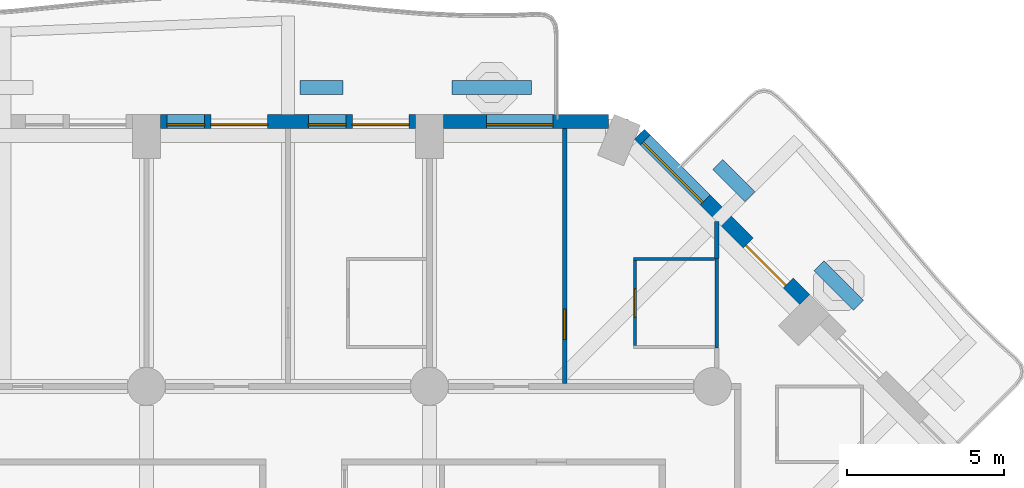
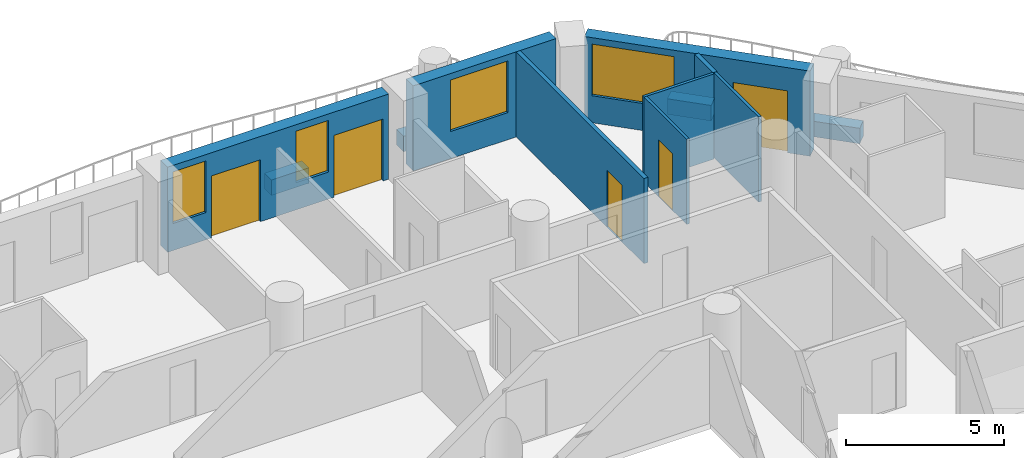
# One storey, part 10 of 20: 12 walls, 5 doors, 4 windows, 9 openings.
"""IFC4 building model written with IfcOpenShell, lengths in metres."""

from ifc_helpers import new_model, si_unit, direction, frame, frame_2d, origin, place, context, subcontext, project, spatial, rectangle, extrude, material, layer, layer_set, type_object, element, fill, save


model = new_model("IFC4")

# Units and contexts
model_context = context("Model", 3, precision=1e-05, world=origin(), true_north=direction((0.0, 1.0)))
body_context = subcontext(model_context, "Body", "Model", "MODEL_VIEW")
ifc_project = project(units=[si_unit("LENGTHUNIT", "METRE"), si_unit("AREAUNIT", "SQUARE_METRE"), si_unit("VOLUMEUNIT", "CUBIC_METRE"), si_unit("PLANEANGLEUNIT", "RADIAN"), si_unit("MASSUNIT", "GRAM", prefix="KILO")], contexts=[model_context])

# Site, building, storey
site_placement = place(None, origin())
site = spatial("IfcSite", under=ifc_project, at=site_placement, CompositionType="ELEMENT")
building_placement = place(site_placement, origin())
building = spatial("IfcBuilding", under=site, at=building_placement, Name="Cypress Arch Tower", CompositionType="ELEMENT")
storey_placement = place(building_placement, frame((0.0, 0.0, 84.300048828125)))
storey = spatial("IfcBuildingStorey", under=building, at=storey_placement, Name="L15", CompositionType="ELEMENT", Elevation=84.300048828125)

# Walls
ifc_material_1 = material(Name="Concrete C40/50, waterproofed", Category="concrete")
ifc_layer_1 = layer(ifc_material_1, 0.449951171875)
ifc_layer_set_1 = layer_set([ifc_layer_1], Name="Balcony planter wall PW450")
wall_type_1 = type_object("IfcWallType", Name="Balcony planter wall PW450", PredefinedType="SOLIDWALL", material=ifc_layer_set_1)
wall_1_placement = place(storey_placement, frame((19.9365234375, 20.07763671875, 0.0), z_axis=(0.0, 0.0, 1.0), x_axis=(-0.707106781187, 0.707106781187, 0.0)))
element("IfcWall", 1, at=wall_1_placement, inside=storey, type_object=wall_type_1, Name="Balcony planter wall L15-A07.2", PredefinedType="SOLIDWALL", context=body_context, shape_type="SweptSolid", body=[
    extrude(rectangle(XDim=1.780517578125, YDim=0.449951171875, at=frame_2d((0.89013671875, 0.0))), origin(), (0.0, 0.0, 1.0), 0.599853515625),
])
wall_2_placement = place(storey_placement, frame((16.485595703125, 23.528564453125, 0.0), z_axis=(0.0, 0.0, 1.0), x_axis=(-0.707022305137, 0.707191247145, 0.0)))
element("IfcWall", 2, at=wall_2_placement, inside=storey, type_object=wall_type_1, Name="Balcony planter wall L15-A07.3", PredefinedType="SOLIDWALL", context=body_context, shape_type="SweptSolid", body=[
    extrude(rectangle(XDim=1.445068359375, YDim=0.449951171875, at=frame_2d((0.72265625, 0.0))), origin(), (0.0, 0.0, 1.0), 0.599853515625),
])
wall_3_placement = place(storey_placement, frame((9.550048828125, 27.0, 0.0), z_axis=(0.0, 0.0, 1.0), x_axis=(-1.0, 0.0, 0.0)))
element("IfcWall", 3, at=wall_3_placement, inside=storey, type_object=wall_type_1, Name="Balcony planter wall L15-A08.1", PredefinedType="SOLIDWALL", context=body_context, shape_type="SweptSolid", body=[
    extrude(rectangle(XDim=2.53759765625, YDim=0.449951171875, at=frame_2d((1.268798828125, 0.0))), origin(), (0.0, 0.0, 1.0), 0.599853515625),
])
wall_4_placement = place(storey_placement, frame((3.550048828125, 27.0, 0.0), z_axis=(0.0, 0.0, 1.0), x_axis=(-1.0, 0.0, 0.0)))
element("IfcWall", 4, at=wall_4_placement, inside=storey, type_object=wall_type_1, Name="Balcony planter wall L15-A08.2", PredefinedType="SOLIDWALL", context=body_context, shape_type="SweptSolid", body=[
    extrude(rectangle(XDim=1.375, YDim=0.449951171875, at=frame_2d((0.6875, 0.0))), origin(), (0.0, 0.0, 1.0), 0.599853515625),
])

# Wall, openings, door, window
ifc_material_2 = material(Name="Brick (red buff blend)", Category="masonry")
ifc_layer_2 = layer(ifc_material_2, 0.449951171875)
ifc_layer_set_2 = layer_set([ifc_layer_2], Name="Brick pier and spandrel wall BW450")
wall_type_2 = type_object("IfcWallType", Name="Brick pier and spandrel wall BW450", PredefinedType="SOLIDWALL", material=ifc_layer_set_2)
wall_5_placement = place(storey_placement, frame((18.228759765625, 20.26513671875, 0.0), z_axis=(0.0, 0.0, 1.0), x_axis=(-0.707106781187, 0.707106781187, 0.0)))
wall_5 = element("IfcWall", 5, at=wall_5_placement, inside=storey, type_object=wall_type_2, Name="Brick wall L15 A07.1", PredefinedType="SOLIDWALL", context=body_context, shape_type="SweptSolid", body=[
    extrude(rectangle(XDim=7.423828125, YDim=0.449951171875, at=frame_2d((3.7119140625, 0.0))), origin(), (0.0, 0.0, 1.0), 3.300048828125),
])
opening_1_placement = place(wall_5_placement, frame((0.740234375, 0.0, 0.0)))
opening_1 = element("IfcOpeningElement", 6, at=opening_1_placement, cuts=wall_5, Name="Opening D-L15-A07.1.1", PredefinedType="OPENING", context=body_context, shape_type="SweptSolid", body=[
    extrude(rectangle(XDim=1.800048828125, YDim=2.39990234375, at=frame_2d((0.89990234375, 1.199951171875))), frame((0.0, 0.23486328125, 0.0), z_axis=(0.0, -1.0, 0.0), x_axis=(1.0, 0.0, 0.0)), (0.0, 0.0, 1.0), 0.469970703125),
])
opening_2_placement = place(wall_5_placement, frame((4.470703125, 0.0, 1.050048828125)))
opening_2 = element("IfcOpeningElement", 7, at=opening_2_placement, cuts=wall_5, Name="Opening W270HD", PredefinedType="OPENING", context=body_context, shape_type="SweptSolid", body=[
    extrude(rectangle(XDim=2.699951171875, YDim=2.0, at=frame_2d((1.35009765625, 1.0))), frame((0.0, 0.23486328125, 0.0), z_axis=(0.0, -1.0, 0.0), x_axis=(1.0, 0.0, 0.0)), (0.0, 0.0, 1.0), 0.469970703125),
])
ifc_material_3 = material(Name="Anodised aluminium, bronze finish, laminated low-emissivity double glazing, large-missile impact rated", Category="aluminium")
door_type_1 = type_object("IfcDoorType", Name="Balcony sliding door 1800x2400", OperationType="SLIDING_TO_LEFT", PredefinedType="DOOR", material=ifc_material_3)
door_1_placement = place(opening_1_placement, origin())
door_1 = element("IfcDoor", 8, at=door_1_placement, inside=storey, type_object=door_type_1, Name="Balcony door L15 A07.1.1", OperationType="SLIDING_TO_LEFT", OverallHeight=2.39990234375, OverallWidth=1.800048828125, PredefinedType="DOOR", context=body_context, shape_type="SweptSolid", body=[
    extrude(rectangle(XDim=1.800048828125, YDim=2.39990234375, at=frame_2d((0.89990234375, 1.199951171875))), frame((0.0, 0.1298828125, 0.0), z_axis=(0.0, -1.0, 0.0), x_axis=(1.0, 0.0, 0.0)), (0.0, 0.0, 1.0), 0.050048828125),
])
fill(opening_1, door_1)
ifc_material_4 = material(Name="Anodised aluminium, bronze finish, laminated low-emissivity double glazing, large-missile impact rated", Category="aluminium")
window_type_1 = type_object("IfcWindowType", Name="Window Hotel 2700x2000 debris-rated", PartitioningType="SINGLE_PANEL", PredefinedType="WINDOW", material=ifc_material_4)
window_1_placement = place(opening_2_placement, origin())
window_1 = element("IfcWindow", 9, at=window_1_placement, inside=storey, type_object=window_type_1, Name="Window L15 A07.1.2", OverallHeight=2.0, OverallWidth=2.699951171875, PartitioningType="SINGLE_PANEL", PredefinedType="WINDOW", context=body_context, shape_type="SweptSolid", body=[
    extrude(rectangle(XDim=2.699951171875, YDim=2.0, at=frame_2d((1.35009765625, 1.0))), frame((0.0, 0.135009765625, 0.0), z_axis=(0.0, -1.0, 0.0), x_axis=(1.0, 0.0, 0.0)), (0.0, 0.0, 1.0), 0.06005859375),
])
fill(opening_2, window_1)

# Wall, opening, window
wall_6_placement = place(storey_placement, frame((11.98876953125, 25.925048828125, 0.0), z_axis=(0.0, 0.0, 1.0), x_axis=(-1.0, 0.0, 0.0)))
wall_6 = element("IfcWall", 10, at=wall_6_placement, inside=storey, type_object=wall_type_2, Name="Brick wall L15 A08.0", PredefinedType="SOLIDWALL", context=body_context, shape_type="SweptSolid", body=[
    extrude(rectangle(XDim=5.23876953125, YDim=0.449951171875, at=frame_2d((2.619384765625, 0.0))), origin(), (0.0, 0.0, 1.0), 3.300048828125),
])
opening_3_placement = place(wall_6_placement, frame((1.769775390625, 0.0, 1.050048828125)))
opening_3 = element("IfcOpeningElement", 11, at=opening_3_placement, cuts=wall_6, Name="Opening W210HD", PredefinedType="OPENING", context=body_context, shape_type="SweptSolid", body=[
    extrude(rectangle(XDim=2.10009765625, YDim=2.0, at=frame_2d((1.050048828125, 1.0))), frame((0.0, 0.23486328125, 0.0), z_axis=(0.0, -1.0, 0.0), x_axis=(1.0, 0.0, 0.0)), (0.0, 0.0, 1.0), 0.469970703125),
])
ifc_material_5 = material(Name="Anodised aluminium, bronze finish, laminated low-emissivity double glazing, large-missile impact rated", Category="aluminium")
window_type_2 = type_object("IfcWindowType", Name="Window Hotel 2100x2000 debris-rated", PartitioningType="SINGLE_PANEL", PredefinedType="WINDOW", material=ifc_material_5)
window_2_placement = place(opening_3_placement, origin())
window_2 = element("IfcWindow", 12, at=window_2_placement, inside=storey, type_object=window_type_2, Name="Window L15 A08.0.1", OverallHeight=2.0, OverallWidth=2.10009765625, PartitioningType="SINGLE_PANEL", PredefinedType="WINDOW", context=body_context, shape_type="SweptSolid", body=[
    extrude(rectangle(XDim=2.10009765625, YDim=2.0, at=frame_2d((1.050048828125, 1.0))), frame((0.0, 0.135009765625, 0.0), z_axis=(0.0, -1.0, 0.0), x_axis=(1.0, 0.0, 0.0)), (0.0, 0.0, 1.0), 0.06005859375),
])
fill(opening_3, window_2)

# Wall, openings, doors, windows
wall_7_placement = place(storey_placement, frame((5.85009765625, 25.925048828125, 0.0), z_axis=(0.0, 0.0, 1.0), x_axis=(-1.0, 0.0, 0.0)))
wall_7 = element("IfcWall", 13, at=wall_7_placement, inside=storey, type_object=wall_type_2, Name="Brick wall L15 A08.1", PredefinedType="SOLIDWALL", context=body_context, shape_type="SweptSolid", body=[
    extrude(rectangle(XDim=8.10009765625, YDim=0.449951171875, at=frame_2d((4.050048828125, 0.0))), origin(), (0.0, 0.0, 1.0), 3.300048828125),
])
opening_4_placement = place(wall_7_placement, frame((0.199951171875, 0.0, 0.0)))
opening_4 = element("IfcOpeningElement", 14, at=opening_4_placement, cuts=wall_7, Name="Opening D-L15-A08.1.1", PredefinedType="OPENING", context=body_context, shape_type="SweptSolid", body=[
    extrude(rectangle(XDim=1.800048828125, YDim=2.39990234375, at=frame_2d((0.89990234375, 1.199951171875))), frame((0.0, 0.23486328125, 0.0), z_axis=(0.0, -1.0, 0.0), x_axis=(1.0, 0.0, 0.0)), (0.0, 0.0, 1.0), 0.469970703125),
])
opening_5_placement = place(wall_7_placement, frame((2.199951171875, 0.0, 1.050048828125)))
opening_5 = element("IfcOpeningElement", 15, at=opening_5_placement, cuts=wall_7, Name="Opening W120HD", PredefinedType="OPENING", context=body_context, shape_type="SweptSolid", body=[
    extrude(rectangle(XDim=1.199951171875, YDim=2.0, at=frame_2d((0.60009765625, 1.0))), frame((0.0, 0.23486328125, 0.0), z_axis=(0.0, -1.0, 0.0), x_axis=(1.0, 0.0, 0.0)), (0.0, 0.0, 1.0), 0.469970703125),
])
opening_6_placement = place(wall_7_placement, frame((4.699951171875, 0.0, 0.0)))
opening_6 = element("IfcOpeningElement", 16, at=opening_6_placement, cuts=wall_7, Name="Opening D-L15-A08.1.2", PredefinedType="OPENING", context=body_context, shape_type="SweptSolid", body=[
    extrude(rectangle(XDim=1.800048828125, YDim=2.39990234375, at=frame_2d((0.89990234375, 1.199951171875))), frame((0.0, 0.23486328125, 0.0), z_axis=(0.0, -1.0, 0.0), x_axis=(1.0, 0.0, 0.0)), (0.0, 0.0, 1.0), 0.469970703125),
])
opening_7_placement = place(wall_7_placement, frame((6.699951171875, 0.0, 1.050048828125)))
opening_7 = element("IfcOpeningElement", 17, at=opening_7_placement, cuts=wall_7, Name="Opening W120HD", PredefinedType="OPENING", context=body_context, shape_type="SweptSolid", body=[
    extrude(rectangle(XDim=1.199951171875, YDim=2.0, at=frame_2d((0.60009765625, 1.0))), frame((0.0, 0.23486328125, 0.0), z_axis=(0.0, -1.0, 0.0), x_axis=(1.0, 0.0, 0.0)), (0.0, 0.0, 1.0), 0.469970703125),
])
door_2_placement = place(opening_4_placement, origin())
door_2 = element("IfcDoor", 18, at=door_2_placement, inside=storey, type_object=door_type_1, Name="Balcony door L15 A08.1.1", OperationType="SLIDING_TO_LEFT", OverallHeight=2.39990234375, OverallWidth=1.800048828125, PredefinedType="DOOR", context=body_context, shape_type="SweptSolid", body=[
    extrude(rectangle(XDim=1.800048828125, YDim=2.39990234375, at=frame_2d((0.89990234375, 1.199951171875))), frame((0.0, 0.1298828125, 0.0), z_axis=(0.0, -1.0, 0.0), x_axis=(1.0, 0.0, 0.0)), (0.0, 0.0, 1.0), 0.050048828125),
])
fill(opening_4, door_2)
door_3_placement = place(opening_6_placement, origin())
door_3 = element("IfcDoor", 19, at=door_3_placement, inside=storey, type_object=door_type_1, Name="Balcony door L15 A08.1.2", OperationType="SLIDING_TO_LEFT", OverallHeight=2.39990234375, OverallWidth=1.800048828125, PredefinedType="DOOR", context=body_context, shape_type="SweptSolid", body=[
    extrude(rectangle(XDim=1.800048828125, YDim=2.39990234375, at=frame_2d((0.89990234375, 1.199951171875))), frame((0.0, 0.1298828125, 0.0), z_axis=(0.0, -1.0, 0.0), x_axis=(1.0, 0.0, 0.0)), (0.0, 0.0, 1.0), 0.050048828125),
])
fill(opening_6, door_3)
ifc_material_6 = material(Name="Anodised aluminium, bronze finish, laminated low-emissivity double glazing, large-missile impact rated", Category="aluminium")
window_type_3 = type_object("IfcWindowType", Name="Window Hotel 1200x2000 debris-rated", PartitioningType="SINGLE_PANEL", PredefinedType="WINDOW", material=ifc_material_6)
window_3_placement = place(opening_5_placement, origin())
window_3 = element("IfcWindow", 20, at=window_3_placement, inside=storey, type_object=window_type_3, Name="Window L15 A08.1.1", OverallHeight=2.0, OverallWidth=1.199951171875, PartitioningType="SINGLE_PANEL", PredefinedType="WINDOW", context=body_context, shape_type="SweptSolid", body=[
    extrude(rectangle(XDim=1.199951171875, YDim=2.0, at=frame_2d((0.60009765625, 1.0))), frame((0.0, 0.135009765625, 0.0), z_axis=(0.0, -1.0, 0.0), x_axis=(1.0, 0.0, 0.0)), (0.0, 0.0, 1.0), 0.06005859375),
])
fill(opening_5, window_3)
window_4_placement = place(opening_7_placement, origin())
window_4 = element("IfcWindow", 21, at=window_4_placement, inside=storey, type_object=window_type_3, Name="Window L15 A08.1.2", OverallHeight=2.0, OverallWidth=1.199951171875, PartitioningType="SINGLE_PANEL", PredefinedType="WINDOW", context=body_context, shape_type="SweptSolid", body=[
    extrude(rectangle(XDim=1.199951171875, YDim=2.0, at=frame_2d((0.60009765625, 1.0))), frame((0.0, 0.135009765625, 0.0), z_axis=(0.0, -1.0, 0.0), x_axis=(1.0, 0.0, 0.0)), (0.0, 0.0, 1.0), 0.06005859375),
])
fill(opening_7, window_4)

# Wall, opening, door
ifc_material_7 = material(Name="Blockwork, plastered both sides", Category="masonry")
ifc_layer_3 = layer(ifc_material_7, 0.14990234375)
ifc_layer_set_3 = layer_set([ifc_layer_3], Name="Partition PW150")
wall_type_3 = type_object("IfcWallType", Name="Partition PW150", PredefinedType="PARTITIONING", material=ifc_layer_set_3)
wall_8_placement = place(storey_placement, frame((10.60009765625, 17.60009765625, 0.0), z_axis=(0.0, 0.0, 1.0), x_axis=(0.0, 1.0, 0.0)))
wall_8 = element("IfcWall", 22, at=wall_8_placement, inside=storey, type_object=wall_type_3, Name="Partition", PredefinedType="PARTITIONING", context=body_context, shape_type="SweptSolid", body=[
    extrude(rectangle(XDim=8.099853515625, YDim=0.14990234375, at=frame_2d((4.0498046875, 0.0))), origin(), (0.0, 0.0, 1.0), 3.300048828125),
])
opening_8_placement = place(wall_8_placement, frame((1.39990234375, 0.0, 0.0)))
opening_8 = element("IfcOpeningElement", 23, at=opening_8_placement, cuts=wall_8, Name="Opening D12", PredefinedType="OPENING", context=body_context, shape_type="SweptSolid", body=[
    extrude(rectangle(XDim=0.949951171875, YDim=2.199951171875, at=frame_2d((0.47509765625, 1.10009765625))), frame((0.0, 0.0849609375, 0.0), z_axis=(0.0, -1.0, 0.0), x_axis=(1.0, 0.0, 0.0)), (0.0, 0.0, 1.0), 0.169921875),
])
ifc_material_8 = material(Name="Timber flush door", Category="wood")
door_type_2 = type_object("IfcDoorType", Name="Room door D12 950x2200", OperationType="SINGLE_SWING_LEFT", PredefinedType="DOOR", material=ifc_material_8)
door_4_placement = place(opening_8_placement, origin())
door_4 = element("IfcDoor", 24, at=door_4_placement, inside=storey, type_object=door_type_2, Name="Room door", OperationType="SINGLE_SWING_LEFT", OverallHeight=2.199951171875, OverallWidth=0.949951171875, PredefinedType="DOOR", context=body_context, shape_type="SweptSolid", body=[
    extrude(rectangle(XDim=0.949951171875, YDim=2.199951171875, at=frame_2d((0.47509765625, 1.10009765625))), frame((0.0, 0.02490234375, 0.0), z_axis=(0.0, -1.0, 0.0), x_axis=(1.0, 0.0, 0.0)), (0.0, 0.0, 1.0), 0.050048828125),
])
fill(opening_8, door_4)

# Wall
wall_9_placement = place(storey_placement, frame((15.431884765625, 21.570068359375, 0.0), z_axis=(0.0, 0.0, 1.0), x_axis=(0.0, 1.0, 0.0)))
element("IfcWall", 25, at=wall_9_placement, inside=storey, type_object=wall_type_3, Name="Partition", PredefinedType="PARTITIONING", context=body_context, shape_type="SweptSolid", body=[
    extrude(rectangle(XDim=1.173583984375, YDim=0.14990234375, at=frame_2d((0.5869140625, 0.0))), origin(), (0.0, 0.0, 1.0), 3.300048828125),
])

# Wall, opening, door
ifc_material_9 = material(Name="Moisture resistant board on steel studs, tiled", Category="steel")
ifc_layer_4 = layer(ifc_material_9, 0.10009765625)
ifc_layer_set_4 = layer_set([ifc_layer_4], Name="Wet wall PW100")
wall_type_4 = type_object("IfcWallType", Name="Wet wall PW100", PredefinedType="PARTITIONING", material=ifc_layer_set_4)
wall_10_placement = place(storey_placement, frame((12.8359375, 18.800048828125, 0.0), z_axis=(0.0, 0.0, 1.0), x_axis=(0.0, 1.0, 0.0)))
wall_10 = element("IfcWall", 26, at=wall_10_placement, inside=storey, type_object=wall_type_4, Name="Wet wall", PredefinedType="PARTITIONING", context=body_context, shape_type="SweptSolid", body=[
    extrude(rectangle(XDim=2.699951171875, YDim=0.10009765625, at=frame_2d((1.35009765625, 0.0))), origin(), (0.0, 0.0, 1.0), 3.300048828125),
])
opening_9_placement = place(wall_10_placement, frame((0.89990234375, 0.0, 0.0)))
opening_9 = element("IfcOpeningElement", 27, at=opening_9_placement, cuts=wall_10, Name="Opening D03", PredefinedType="OPENING", context=body_context, shape_type="SweptSolid", body=[
    extrude(rectangle(XDim=0.89990234375, YDim=2.199951171875, at=frame_2d((0.449951171875, 1.10009765625))), frame((0.0, 0.06005859375, 0.0), z_axis=(0.0, -1.0, 0.0), x_axis=(1.0, 0.0, 0.0)), (0.0, 0.0, 1.0), 0.1201171875),
])
ifc_material_10 = material(Name="Timber flush door, moisture resistant", Category="wood")
door_type_3 = type_object("IfcDoorType", Name="Bathroom door D03 900x2200", OperationType="SINGLE_SWING_LEFT", PredefinedType="DOOR", material=ifc_material_10)
door_5_placement = place(opening_9_placement, origin())
door_5 = element("IfcDoor", 28, at=door_5_placement, inside=storey, type_object=door_type_3, Name="Bathroom door", OperationType="SINGLE_SWING_LEFT", OverallHeight=2.199951171875, OverallWidth=0.89990234375, PredefinedType="DOOR", context=body_context, shape_type="SweptSolid", body=[
    extrude(rectangle(XDim=0.89990234375, YDim=2.199951171875, at=frame_2d((0.449951171875, 1.10009765625))), frame((0.0, 0.02490234375, 0.0), z_axis=(0.0, -1.0, 0.0), x_axis=(1.0, 0.0, 0.0)), (0.0, 0.0, 1.0), 0.050048828125),
])
fill(opening_9, door_5)

# Walls
wall_11_placement = place(storey_placement, frame((12.785888671875, 21.550048828125, 0.0), z_axis=(0.0, 0.0, 1.0), x_axis=(1.0, 0.0, 0.0)))
element("IfcWall", 29, at=wall_11_placement, inside=storey, type_object=wall_type_4, Name="Wet wall", PredefinedType="PARTITIONING", context=body_context, shape_type="SweptSolid", body=[
    extrude(rectangle(XDim=2.571044921875, YDim=0.10009765625, at=frame_2d((1.28564453125, 0.0))), origin(), (0.0, 0.0, 1.0), 3.300048828125),
])
wall_12_placement = place(storey_placement, frame((15.431884765625, 18.72998046875, 0.0), z_axis=(0.0, 0.0, 1.0), x_axis=(0.0, 1.0, 0.0)))
element("IfcWall", 30, at=wall_12_placement, inside=storey, type_object=wall_type_4, Name="Wet wall", PredefinedType="PARTITIONING", context=body_context, shape_type="SweptSolid", body=[
    extrude(rectangle(XDim=2.840087890625, YDim=0.10009765625, at=frame_2d((1.419921875, 0.0))), origin(), (0.0, 0.0, 1.0), 3.300048828125),
])

save(model, "model.ifc")
